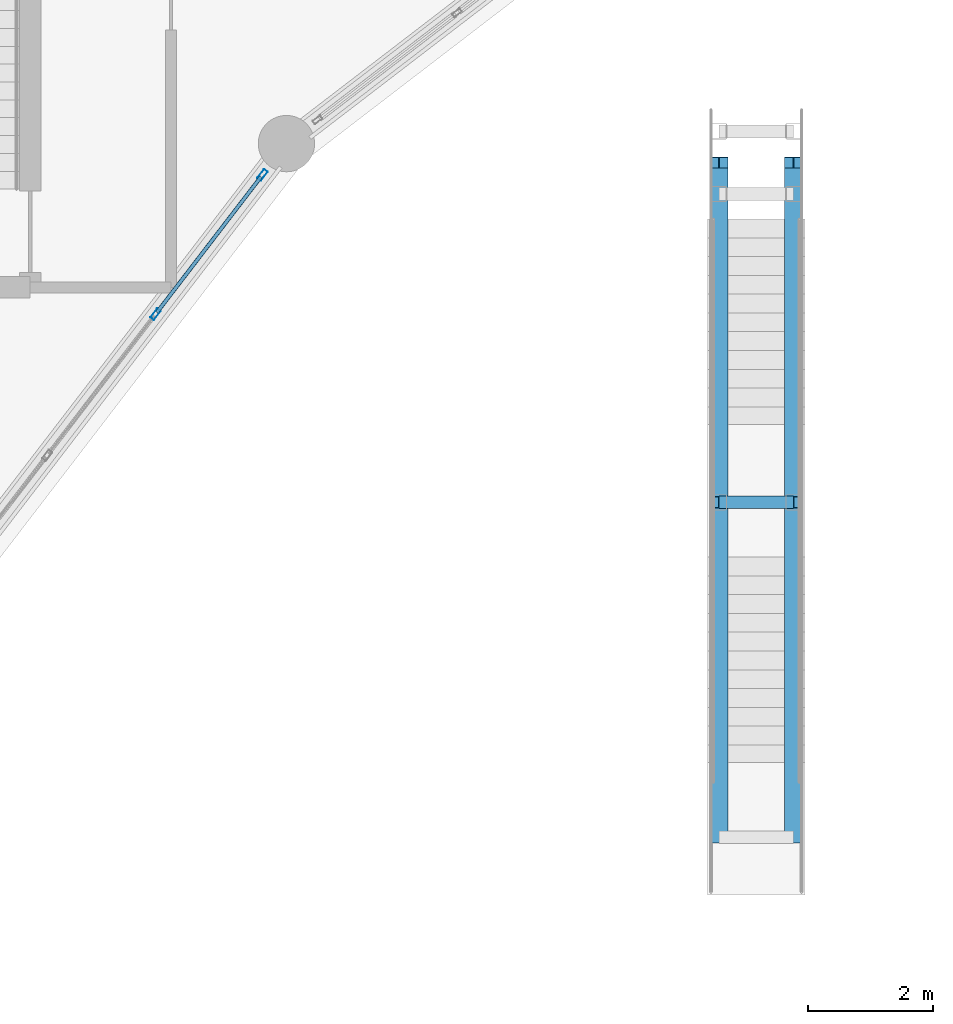
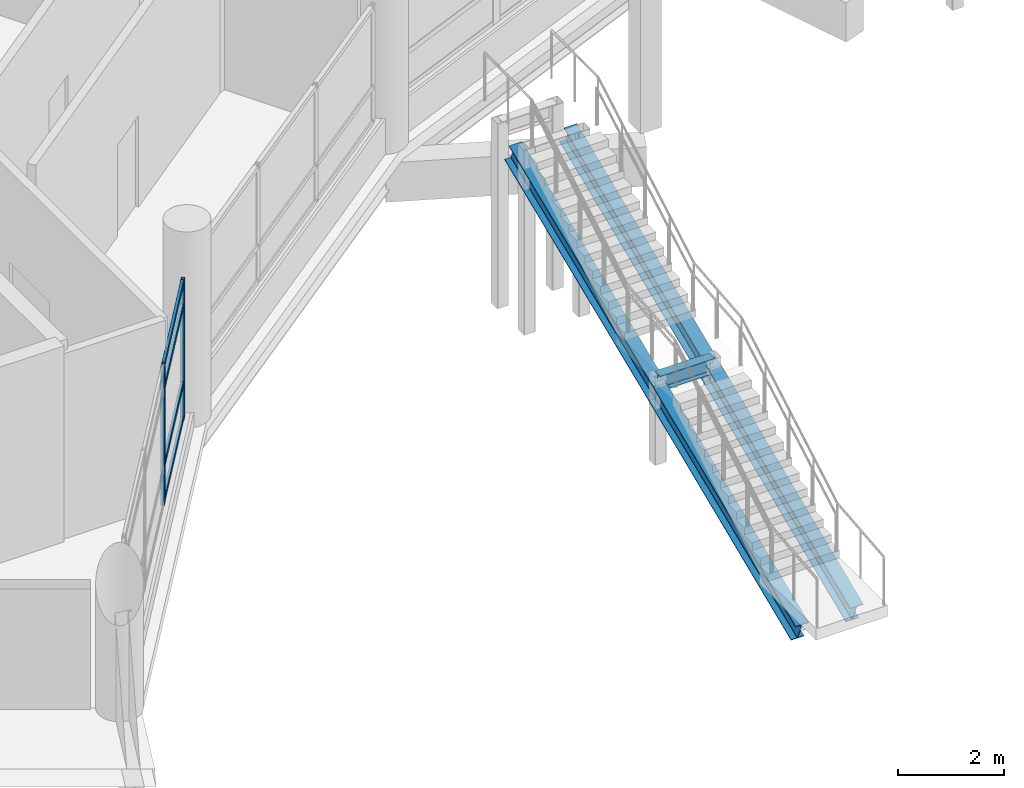
# One storey, part 51 of 129: 6 members, 5 beams, 1 element without a shape of its own.
"""IFC4 building model written with IfcOpenShell, lengths in metres."""

from ifc_helpers import new_model, si_unit, direction, frame, origin, origin_2d, place, context, subcontext, project, spatial, hollow_rectangle, i_section, extrude, material, layer, layer_set, material_profile, profile_set, type_object, element, aggregate, save


model = new_model("IFC4")

# Units and contexts
model_context = context("Model", 3, precision=1e-05, world=origin(), true_north=direction((0.0, 1.0)))
body_context = subcontext(model_context, "Body", "Model", "MODEL_VIEW")
ifc_project = project(units=[si_unit("LENGTHUNIT", "METRE"), si_unit("AREAUNIT", "SQUARE_METRE"), si_unit("VOLUMEUNIT", "CUBIC_METRE"), si_unit("PLANEANGLEUNIT", "RADIAN"), si_unit("MASSUNIT", "GRAM", prefix="KILO")], contexts=[model_context])

# Site, building, storey
site_placement = place(None, origin())
site = spatial("IfcSite", under=ifc_project, at=site_placement, CompositionType="ELEMENT")
building_placement = place(site_placement, origin())
building = spatial("IfcBuilding", under=site, at=building_placement, Name="Vespera Passage Community Centre", CompositionType="ELEMENT")
storey_placement = place(building_placement, origin())
storey = spatial("IfcBuildingStorey", under=building, at=storey_placement, Name="L00", CompositionType="ELEMENT", Elevation=0.0)

# Beams
ifc_material_1 = material(Name="Steel ASTM A992 Grade 50", Category="steel")
ifc_material_profile_1 = material_profile(ifc_material_1, i_section(OverallWidth=0.280517578125, OverallDepth=0.46240234375, WebThickness=0.0107421875, FlangeThickness=0.017333984375, FilletRadius=0.01025390625, at=origin_2d()), Name="W18X76")
ifc_profile_set_1 = profile_set([ifc_material_profile_1], Name="Steel ASTM A992 Grade 50")
beam_type_1 = type_object("IfcBeamType", Name="BM-RB-W18X76E", PredefinedType="SPANDREL", material=ifc_profile_set_1)
beam_1_placement = place(storey_placement, frame((59.794921875, 80.72509765625, -0.679931640625), z_axis=(0.0, 0.92179366475, 0.38768084764), x_axis=(-1.0, 0.0, 0.0)))
element("IfcBeam", 1, at=beam_1_placement, inside=storey, type_object=beam_type_1, Name="ST-CRT-04 Stringer 1.1", PredefinedType="SPANDREL", context=body_context, shape_type="SweptSolid", body=[
    extrude(i_section(OverallWidth=0.280517578125, OverallDepth=0.46240234375, WebThickness=0.0107421875, FlangeThickness=0.017333984375, FilletRadius=0.01025390625, at=origin_2d()), origin(), (0.0, 0.0, 1.0), 5.8037109375),
])
beam_2_placement = place(storey_placement, frame((59.794921875, 86.074951171875, 1.570068359375), z_axis=(0.0, 0.923706596521, 0.383100670246), x_axis=(-1.0, 0.0, 0.0)))
element("IfcBeam", 2, at=beam_2_placement, inside=storey, type_object=beam_type_1, Name="ST-CRT-04 Stringer 1.2", PredefinedType="SPANDREL", context=body_context, shape_type="SweptSolid", body=[
    extrude(i_section(OverallWidth=0.280517578125, OverallDepth=0.46240234375, WebThickness=0.0107421875, FlangeThickness=0.017333984375, FilletRadius=0.01025390625, at=origin_2d()), origin(), (0.0, 0.0, 1.0), 5.873046875),
])
beam_3_placement = place(storey_placement, frame((58.60498046875, 80.72509765625, -0.679931640625), z_axis=(0.0, 0.92179366475, 0.38768084764), x_axis=(-1.0, 0.0, 0.0)))
element("IfcBeam", 3, at=beam_3_placement, inside=storey, type_object=beam_type_1, Name="ST-CRT-04 Stringer 2.1", PredefinedType="SPANDREL", context=body_context, shape_type="SweptSolid", body=[
    extrude(i_section(OverallWidth=0.280517578125, OverallDepth=0.46240234375, WebThickness=0.0107421875, FlangeThickness=0.017333984375, FilletRadius=0.01025390625, at=origin_2d()), origin(), (0.0, 0.0, 1.0), 5.8037109375),
])
beam_4_placement = place(storey_placement, frame((58.60498046875, 86.074951171875, 1.570068359375), z_axis=(0.0, 0.923706596521, 0.383100670246), x_axis=(-1.0, 0.0, 0.0)))
element("IfcBeam", 4, at=beam_4_placement, inside=storey, type_object=beam_type_1, Name="ST-CRT-04 Stringer 2.2", PredefinedType="SPANDREL", context=body_context, shape_type="SweptSolid", body=[
    extrude(i_section(OverallWidth=0.280517578125, OverallDepth=0.46240234375, WebThickness=0.0107421875, FlangeThickness=0.017333984375, FilletRadius=0.01025390625, at=origin_2d()), origin(), (0.0, 0.0, 1.0), 5.873046875),
])
ifc_material_2 = material(Name="Steel ASTM A992 Grade 50", Category="steel")
ifc_material_profile_2 = material_profile(ifc_material_2, i_section(OverallWidth=0.2041015625, OverallDepth=0.3505859375, WebThickness=0.008544921875, FlangeThickness=0.01513671875, FilletRadius=0.01513671875, at=origin_2d()), Name="W14X48")
ifc_profile_set_2 = profile_set([ifc_material_profile_2], Name="Steel ASTM A992 Grade 50")
beam_type_2 = type_object("IfcBeamType", Name="BM-STR-W14X48E", PredefinedType="BEAM", material=ifc_profile_set_2)
beam_5_placement = place(storey_placement, frame((59.794921875, 86.074951171875, 1.81494140625), z_axis=(-1.0, 0.0, 0.0), x_axis=(0.0, -1.0, 0.0)))
element("IfcBeam", 5, at=beam_5_placement, inside=storey, type_object=beam_type_2, Name="ST-CRT-04 M Header", PredefinedType="BEAM", context=body_context, shape_type="SweptSolid", body=[
    extrude(i_section(OverallWidth=0.2041015625, OverallDepth=0.3505859375, WebThickness=0.008544921875, FlangeThickness=0.01513671875, FilletRadius=0.01513671875, at=origin_2d()), origin(), (0.0, 0.0, 1.0), 1.18994140625),
])

# Curtain wall, members
ifc_material_3 = material(Name="Anodized aluminium 6063-T6", Category="aluminium")
ifc_layer = layer(ifc_material_3, 0.159912109375)
ifc_layer_set = layer_set([ifc_layer], Name="Anodized aluminium 6063-T6")
curtain_wall_type = type_object("IfcCurtainWallType", Name="CW-07E", PredefinedType="NOTDEFINED", material=ifc_layer_set)
curtain_wall_placement = place(storey_placement, origin())
curtain_wall = element("IfcCurtainWall", 6, at=curtain_wall_placement, inside=storey, type_object=curtain_wall_type, Name="V4 L00 Inner Court Curtain Wall 9", PredefinedType="NOTDEFINED")
ifc_material_4 = material(Name="Anodized aluminium 6063-T6", Category="aluminium")
ifc_material_profile_3 = material_profile(ifc_material_4, hollow_rectangle(XDim=0.074951171875, YDim=0.179931640625, WallThickness=0.0048828125, InnerFilletRadius=0.00244140625, OuterFilletRadius=0.0048828125, at=origin_2d()), Name="ALU180X75X5")
ifc_profile_set_3 = profile_set([ifc_material_profile_3], Name="Anodized aluminium 6063-T6")
member_type_1 = type_object("IfcMemberType", Name="MB-CWM-180E", PredefinedType="MULLION", material=ifc_profile_set_3)
member_1_placement = place(storey_placement, frame((51.311767578125, 91.303955078125, 0.35009765625), z_axis=(0.0, 0.0, 1.0), x_axis=(0.793358205999, -0.608755087843, 0.0)))
member_1 = element("IfcMember", 7, at=member_1_placement, type_object=member_type_1, Name="CW-07E mullion 1", PredefinedType="MULLION", context=body_context, shape_type="SweptSolid", body=[
    extrude(hollow_rectangle(XDim=0.074951171875, YDim=0.179931640625, WallThickness=0.0048828125, InnerFilletRadius=0.00244140625, OuterFilletRadius=0.0048828125, at=origin_2d()), origin(), (0.0, 0.0, 1.0), 3.17919921875),
])
member_2_placement = place(storey_placement, frame((49.604736328125, 89.079345703125, 0.35009765625), z_axis=(0.0, 0.0, 1.0), x_axis=(0.793358205999, -0.608755087843, 0.0)))
member_2 = element("IfcMember", 8, at=member_2_placement, type_object=member_type_1, Name="CW-07E mullion 2", PredefinedType="MULLION", context=body_context, shape_type="SweptSolid", body=[
    extrude(hollow_rectangle(XDim=0.074951171875, YDim=0.179931640625, WallThickness=0.0048828125, InnerFilletRadius=0.00244140625, OuterFilletRadius=0.0048828125, at=origin_2d()), origin(), (0.0, 0.0, 1.0), 3.17919921875),
])
ifc_material_5 = material(Name="Anodized aluminium 6063-T6", Category="aluminium")
ifc_material_profile_4 = material_profile(ifc_material_5, hollow_rectangle(XDim=0.06005859375, YDim=0.1201171875, WallThickness=0.00390625, InnerFilletRadius=0.001953125, OuterFilletRadius=0.00390625, at=origin_2d()), Name="ALU120X60X4")
ifc_profile_set_4 = profile_set([ifc_material_profile_4], Name="Anodized aluminium 6063-T6")
member_type_2 = type_object("IfcMemberType", Name="MB-CWT-120E", PredefinedType="USERDEFINED", material=ifc_profile_set_4)
member_3_placement = place(storey_placement, frame((51.288818359375, 91.2744140625, 0.3798828125), z_axis=(-0.608737609183, -0.793371617318, 0.0), x_axis=(0.793371617318, -0.608737609183, 0.0)))
member_3 = element("IfcMember", 9, at=member_3_placement, type_object=member_type_2, Name="CW-07E transom 1.1", ObjectType="TRANSOM", PredefinedType="USERDEFINED", context=body_context, shape_type="SweptSolid", body=[
    extrude(hollow_rectangle(XDim=0.06005859375, YDim=0.1201171875, WallThickness=0.00390625, InnerFilletRadius=0.001953125, OuterFilletRadius=0.00390625, at=origin_2d()), origin(), (0.0, 0.0, 1.0), 2.729248046875),
])
member_4_placement = place(storey_placement, frame((51.288818359375, 91.2744140625, 1.199951171875), z_axis=(-0.608737609183, -0.793371617318, 0.0), x_axis=(0.793371617318, -0.608737609183, 0.0)))
member_4 = element("IfcMember", 10, at=member_4_placement, type_object=member_type_2, Name="CW-07E transom 1.2", ObjectType="TRANSOM", PredefinedType="USERDEFINED", context=body_context, shape_type="SweptSolid", body=[
    extrude(hollow_rectangle(XDim=0.06005859375, YDim=0.1201171875, WallThickness=0.00390625, InnerFilletRadius=0.001953125, OuterFilletRadius=0.00390625, at=origin_2d()), origin(), (0.0, 0.0, 1.0), 2.729248046875),
])
member_5_placement = place(storey_placement, frame((51.288818359375, 91.2744140625, 2.9794921875), z_axis=(-0.608737609183, -0.793371617318, 0.0), x_axis=(0.793371617318, -0.608737609183, 0.0)))
member_5 = element("IfcMember", 11, at=member_5_placement, type_object=member_type_2, Name="CW-07E transom 1.3", ObjectType="TRANSOM", PredefinedType="USERDEFINED", context=body_context, shape_type="SweptSolid", body=[
    extrude(hollow_rectangle(XDim=0.06005859375, YDim=0.1201171875, WallThickness=0.00390625, InnerFilletRadius=0.001953125, OuterFilletRadius=0.00390625, at=origin_2d()), origin(), (0.0, 0.0, 1.0), 2.729248046875),
])
member_6_placement = place(storey_placement, frame((51.288818359375, 91.2744140625, 3.49951171875), z_axis=(-0.608737609183, -0.793371617318, 0.0), x_axis=(0.793371617318, -0.608737609183, 0.0)))
member_6 = element("IfcMember", 12, at=member_6_placement, type_object=member_type_2, Name="CW-07E transom 1.4", ObjectType="TRANSOM", PredefinedType="USERDEFINED", context=body_context, shape_type="SweptSolid", body=[
    extrude(hollow_rectangle(XDim=0.06005859375, YDim=0.1201171875, WallThickness=0.00390625, InnerFilletRadius=0.001953125, OuterFilletRadius=0.00390625, at=origin_2d()), origin(), (0.0, 0.0, 1.0), 2.729248046875),
])
aggregate(curtain_wall, [member_1, member_2, member_3, member_4, member_5, member_6])

save(model, "model.ifc")
